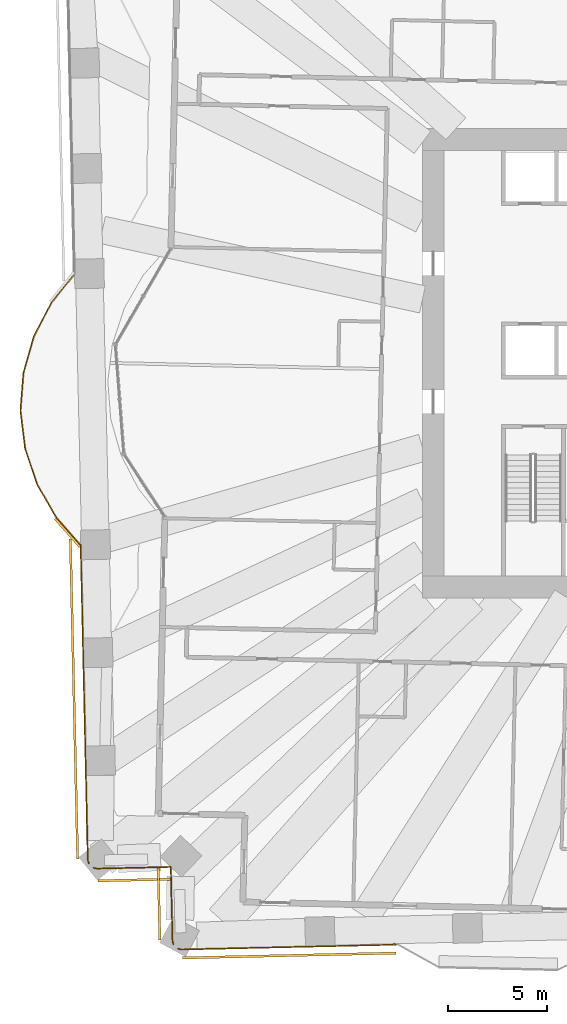
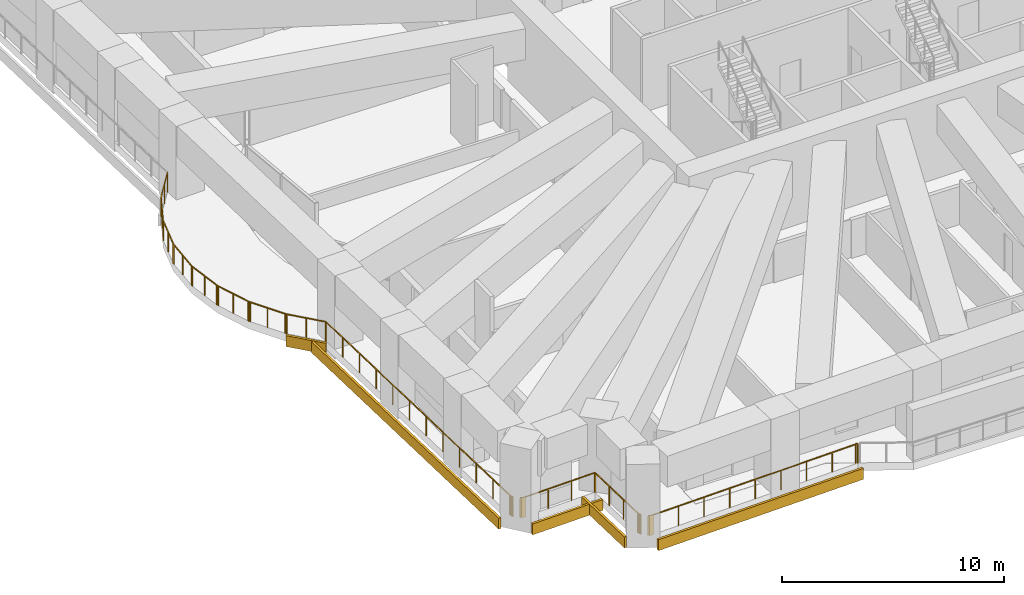
# One storey, part 15 of 20: 5 coverings, 3 railings.
"""IFC4 building model written with IfcOpenShell, lengths in metres."""

from ifc_helpers import new_model, si_unit, direction, frame, frame_2d, origin, origin_2d, place, context, subcontext, project, spatial, rectangle, extrude, material, layer, layer_set, type_object, element, save


model = new_model("IFC4")

# Units and contexts
model_context = context("Model", 3, precision=1e-05, world=origin(), true_north=direction((0.0, 1.0)))
body_context = subcontext(model_context, "Body", "Model", "MODEL_VIEW")
ifc_project = project(units=[si_unit("LENGTHUNIT", "METRE"), si_unit("AREAUNIT", "SQUARE_METRE"), si_unit("VOLUMEUNIT", "CUBIC_METRE"), si_unit("PLANEANGLEUNIT", "RADIAN"), si_unit("MASSUNIT", "GRAM", prefix="KILO")], contexts=[model_context])

# Site, building, storey
site_placement = place(None, origin())
site = spatial("IfcSite", under=ifc_project, at=site_placement, CompositionType="ELEMENT")
building_placement = place(site_placement, origin())
building = spatial("IfcBuilding", under=site, at=building_placement, Name="Mangrove Gate Tower", CompositionType="ELEMENT")
storey_placement = place(building_placement, frame((0.0, 0.0, 52.10009765625)))
storey = spatial("IfcBuildingStorey", under=building, at=storey_placement, Name="L12", CompositionType="ELEMENT", Elevation=52.10009765625)

# Railings
ifc_material_1 = material(Name="Stainless steel grade 316 with laminated glass infill", Category="steel")
railing_type = type_object("IfcRailingType", Name="Balcony guard 1100", PredefinedType="GUARDRAIL", material=ifc_material_1)
railing_1_placement = place(storey_placement, frame((-16.344970703125, -29.44189453125, 0.0)))
element("IfcRailing", 1, at=railing_1_placement, inside=storey, type_object=railing_type, Name="GUARD L12 T2.3", PredefinedType="GUARDRAIL", context=body_context, shape_type="SweptSolid", body=[
    extrude(rectangle(XDim=0.048095703125, YDim=0.048095703125, at=origin_2d()), frame((0.0, 0.0, 1.076171875), z_axis=(0.872632808678, -0.488376884402, 0.0), x_axis=(0.488376884402, 0.872632808678, 0.0)), (0.0, 0.0, 1.0), 0.098388671875),
    extrude(rectangle(XDim=0.048095703125, YDim=0.048095703125, at=origin_2d()), frame((0.0859375, -0.048095703125, 1.076171875), z_axis=(-0.999743023146, -0.022669090637, 0.0), x_axis=(0.022669090637, -0.999743023146, 0.0)), (0.0, 0.0, 1.0), 10.812744140625),
    extrude(rectangle(XDim=0.048095703125, YDim=0.048095703125, at=origin_2d()), frame((-10.72412109375, -0.293212890625, 1.076171875), z_axis=(-0.999687646408, 0.02499219116, 0.0), x_axis=(-0.02499219116, -0.999687646408, 0.0)), (0.0, 0.0, 1.0), 0.048828125),
    extrude(rectangle(XDim=0.048095703125, YDim=0.048095703125, at=origin_2d()), frame((-10.77294921875, -0.2919921875, 1.076171875), z_axis=(-0.992946793169, 0.118560811125, 0.0), x_axis=(-0.118560811125, -0.992946793169, 0.0)), (0.0, 0.0, 1.0), 0.04931640625),
    extrude(rectangle(XDim=0.048095703125, YDim=0.048095703125, at=origin_2d()), frame((-10.822021484375, -0.2861328125, 1.076171875), z_axis=(-0.974889210585, 0.222690428814, 0.0), x_axis=(-0.222690428814, -0.974889210585, 0.0)), (0.0, 0.0, 1.0), 0.04931640625),
    extrude(rectangle(XDim=0.048095703125, YDim=0.048095703125, at=origin_2d()), frame((-10.8701171875, -0.275146484375, 1.076171875), z_axis=(-0.945686599305, 0.325079768511, 0.0), x_axis=(-0.325079768511, -0.945686599305, 0.0)), (0.0, 0.0, 1.0), 0.049560546875),
    extrude(rectangle(XDim=0.048095703125, YDim=0.048095703125, at=origin_2d()), frame((-10.9169921875, -0.259033203125, 1.076171875), z_axis=(-0.916361402872, 0.400352069216, 0.0), x_axis=(-0.400352069216, -0.916361402872, 0.0)), (0.0, 0.0, 1.0), 0.02734375),
    extrude(rectangle(XDim=0.0419921875, YDim=0.0419921875, at=origin_2d()), origin(), (0.0, 0.0, 1.0), 1.052001953125),
    extrude(rectangle(XDim=0.0419921875, YDim=0.0419921875, at=origin_2d()), frame((0.0859375, -0.048095703125, 0.0)), (0.0, 0.0, 1.0), 1.052001953125),
    extrude(rectangle(XDim=0.0419921875, YDim=0.0419921875, at=origin_2d()), frame((-1.265380859375, -0.07861328125, 0.0)), (0.0, 0.0, 1.0), 1.052001953125),
    extrude(rectangle(XDim=0.0419921875, YDim=0.0419921875, at=origin_2d()), frame((-2.61669921875, -0.109375, 0.0)), (0.0, 0.0, 1.0), 1.052001953125),
    extrude(rectangle(XDim=0.0419921875, YDim=0.0419921875, at=origin_2d()), frame((-3.9677734375, -0.14013671875, 0.0)), (0.0, 0.0, 1.0), 1.052001953125),
    extrude(rectangle(XDim=0.0419921875, YDim=0.0419921875, at=origin_2d()), frame((-5.319091796875, -0.170654296875, 0.0)), (0.0, 0.0, 1.0), 1.052001953125),
    extrude(rectangle(XDim=0.0419921875, YDim=0.0419921875, at=origin_2d()), frame((-6.67041015625, -0.201171875, 0.0)), (0.0, 0.0, 1.0), 1.052001953125),
    extrude(rectangle(XDim=0.0419921875, YDim=0.0419921875, at=origin_2d()), frame((-8.021484375, -0.23193359375, 0.0)), (0.0, 0.0, 1.0), 1.052001953125),
    extrude(rectangle(XDim=0.0419921875, YDim=0.0419921875, at=origin_2d()), frame((-9.372802734375, -0.2626953125, 0.0)), (0.0, 0.0, 1.0), 1.052001953125),
    extrude(rectangle(XDim=0.0419921875, YDim=0.0419921875, at=origin_2d()), frame((-10.72412109375, -0.293212890625, 0.0)), (0.0, 0.0, 1.0), 1.052001953125),
    extrude(rectangle(XDim=0.0419921875, YDim=0.0419921875, at=origin_2d()), frame((-10.77294921875, -0.2919921875, 0.0)), (0.0, 0.0, 1.0), 1.052001953125),
    extrude(rectangle(XDim=0.0419921875, YDim=0.0419921875, at=origin_2d()), frame((-10.822021484375, -0.2861328125, 0.0)), (0.0, 0.0, 1.0), 1.052001953125),
    extrude(rectangle(XDim=0.0419921875, YDim=0.0419921875, at=origin_2d()), frame((-10.8701171875, -0.275146484375, 0.0)), (0.0, 0.0, 1.0), 1.052001953125),
    extrude(rectangle(XDim=0.0419921875, YDim=0.0419921875, at=origin_2d()), frame((-10.9169921875, -0.259033203125, 0.0)), (0.0, 0.0, 1.0), 1.052001953125),
    extrude(rectangle(XDim=0.0419921875, YDim=0.0419921875, at=origin_2d()), frame((-10.942138671875, -0.248046875, 0.0)), (0.0, 0.0, 1.0), 1.052001953125),
])
railing_2_placement = place(storey_placement, frame((-27.52587890625, -29.4619140625, 0.0)))
element("IfcRailing", 2, at=railing_2_placement, inside=storey, type_object=railing_type, Name="GUARD L12 T2.4", PredefinedType="GUARDRAIL", context=body_context, shape_type="SweptSolid", body=[
    extrude(rectangle(XDim=0.048095703125, YDim=0.048095703125, at=origin_2d()), frame((0.0, 0.0, 1.076171875), z_axis=(-0.440157217023, 0.897920722727, 0.0), x_axis=(-0.897920722727, -0.440157217023, 0.0)), (0.0, 0.0, 1.0), 0.02783203125),
    extrude(rectangle(XDim=0.048095703125, YDim=0.048095703125, at=origin_2d()), frame((-0.01220703125, 0.02490234375, 1.076171875), z_axis=(-0.361967648779, 0.932190657129, 0.0), x_axis=(-0.932190657129, -0.361967648779, 0.0)), (0.0, 0.0, 1.0), 0.04931640625),
    extrude(rectangle(XDim=0.048095703125, YDim=0.048095703125, at=origin_2d()), frame((-0.030029296875, 0.07080078125, 1.076171875), z_axis=(-0.269444841931, 0.963015823939, 0.0), x_axis=(-0.963015823939, -0.269444841931, 0.0)), (0.0, 0.0, 1.0), 0.048828125),
    extrude(rectangle(XDim=0.048095703125, YDim=0.048095703125, at=origin_2d()), frame((-0.043212890625, 0.117919921875, 1.076171875), z_axis=(-0.157223956062, 0.987562974012, 0.0), x_axis=(-0.987562974012, -0.157223956062, 0.0)), (0.0, 0.0, 1.0), 0.0498046875),
    extrude(rectangle(XDim=0.048095703125, YDim=0.048095703125, at=origin_2d()), frame((-0.051025390625, 0.1669921875, 1.076171875), z_axis=(-0.086410274643, 0.996259637061, 0.0), x_axis=(-0.996259637061, -0.086410274643, 0.0)), (0.0, 0.0, 1.0), 0.048095703125),
    extrude(rectangle(XDim=0.048095703125, YDim=0.048095703125, at=origin_2d()), frame((-0.05517578125, 0.21484375, 1.076171875), z_axis=(-0.022507870902, 0.999746665785, 0.0), x_axis=(-0.999746665785, -0.022507870902, 0.0)), (0.0, 0.0, 1.0), 3.68798828125),
    extrude(rectangle(XDim=0.048095703125, YDim=0.048095703125, at=origin_2d()), frame((-0.13818359375, 3.90185546875, 1.076171875), z_axis=(-0.081362009455, 0.996684615823, 0.0), x_axis=(-0.996684615823, -0.081362009455, 0.0)), (0.0, 0.0, 1.0), 0.011962890625),
    extrude(rectangle(XDim=0.048095703125, YDim=0.048095703125, at=origin_2d()), frame((-0.13916015625, 3.913818359375, 1.076171875), z_axis=(-1.0, 0.0, 0.0), x_axis=(0.0, -1.0, 0.0)), (0.0, 0.0, 1.0), 0.011962890625),
    extrude(rectangle(XDim=0.048095703125, YDim=0.048095703125, at=origin_2d()), frame((-0.151123046875, 3.913818359375, 1.076171875), z_axis=(-0.999746665785, -0.022507870902, 0.0), x_axis=(0.022507870902, -0.999746665785, 0.0)), (0.0, 0.0, 1.0), 3.68798828125),
    extrude(rectangle(XDim=0.048095703125, YDim=0.048095703125, at=origin_2d()), frame((-3.838134765625, 3.830810546875, 1.076171875), z_axis=(-0.999690745235, 0.024867928986, 0.0), x_axis=(-0.024867928986, -0.999690745235, 0.0)), (0.0, 0.0, 1.0), 0.049072265625),
    extrude(rectangle(XDim=0.048095703125, YDim=0.048095703125, at=origin_2d()), frame((-3.88720703125, 3.83203125, 1.076171875), z_axis=(-0.992586388695, 0.121541190452, 0.0), x_axis=(-0.121541190452, -0.992586388695, 0.0)), (0.0, 0.0, 1.0), 0.048095703125),
    extrude(rectangle(XDim=0.048095703125, YDim=0.048095703125, at=origin_2d()), frame((-3.93505859375, 3.837890625, 1.076171875), z_axis=(-0.974889210585, 0.222690428814, 0.0), x_axis=(-0.222690428814, -0.974889210585, 0.0)), (0.0, 0.0, 1.0), 0.04931640625),
    extrude(rectangle(XDim=0.048095703125, YDim=0.048095703125, at=origin_2d()), frame((-3.983154296875, 3.848876953125, 1.076171875), z_axis=(-0.951615146191, 0.307292390957, 0.0), x_axis=(-0.307292390957, -0.951615146191, 0.0)), (0.0, 0.0, 1.0), 0.04931640625),
    extrude(rectangle(XDim=0.048095703125, YDim=0.048095703125, at=origin_2d()), frame((-4.030029296875, 3.864013671875, 1.076171875), z_axis=(-0.903022510302, 0.429593233056, 0.0), x_axis=(-0.429593233056, -0.903022510302, 0.0)), (0.0, 0.0, 1.0), 0.02783203125),
    extrude(rectangle(XDim=0.0419921875, YDim=0.0419921875, at=origin_2d()), origin(), (0.0, 0.0, 1.0), 1.052001953125),
    extrude(rectangle(XDim=0.0419921875, YDim=0.0419921875, at=origin_2d()), frame((-0.01220703125, 0.02490234375, 0.0)), (0.0, 0.0, 1.0), 1.052001953125),
    extrude(rectangle(XDim=0.0419921875, YDim=0.0419921875, at=origin_2d()), frame((-0.030029296875, 0.07080078125, 0.0)), (0.0, 0.0, 1.0), 1.052001953125),
    extrude(rectangle(XDim=0.0419921875, YDim=0.0419921875, at=origin_2d()), frame((-0.043212890625, 0.117919921875, 0.0)), (0.0, 0.0, 1.0), 1.052001953125),
    extrude(rectangle(XDim=0.0419921875, YDim=0.0419921875, at=origin_2d()), frame((-0.051025390625, 0.1669921875, 0.0)), (0.0, 0.0, 1.0), 1.052001953125),
    extrude(rectangle(XDim=0.0419921875, YDim=0.0419921875, at=origin_2d()), frame((-0.05517578125, 0.21484375, 0.0)), (0.0, 0.0, 1.0), 1.052001953125),
    extrude(rectangle(XDim=0.0419921875, YDim=0.0419921875, at=origin_2d()), frame((-0.082763671875, 1.44384765625, 0.0)), (0.0, 0.0, 1.0), 1.052001953125),
    extrude(rectangle(XDim=0.0419921875, YDim=0.0419921875, at=origin_2d()), frame((-0.110595703125, 2.6728515625, 0.0)), (0.0, 0.0, 1.0), 1.052001953125),
    extrude(rectangle(XDim=0.0419921875, YDim=0.0419921875, at=origin_2d()), frame((-0.13818359375, 3.90185546875, 0.0)), (0.0, 0.0, 1.0), 1.052001953125),
    extrude(rectangle(XDim=0.0419921875, YDim=0.0419921875, at=origin_2d()), frame((-0.13916015625, 3.913818359375, 0.0)), (0.0, 0.0, 1.0), 1.052001953125),
    extrude(rectangle(XDim=0.0419921875, YDim=0.0419921875, at=origin_2d()), frame((-0.151123046875, 3.913818359375, 0.0)), (0.0, 0.0, 1.0), 1.052001953125),
    extrude(rectangle(XDim=0.0419921875, YDim=0.0419921875, at=origin_2d()), frame((-1.380126953125, 3.88623046875, 0.0)), (0.0, 0.0, 1.0), 1.052001953125),
    extrude(rectangle(XDim=0.0419921875, YDim=0.0419921875, at=origin_2d()), frame((-2.609130859375, 3.8583984375, 0.0)), (0.0, 0.0, 1.0), 1.052001953125),
    extrude(rectangle(XDim=0.0419921875, YDim=0.0419921875, at=origin_2d()), frame((-3.838134765625, 3.830810546875, 0.0)), (0.0, 0.0, 1.0), 1.052001953125),
    extrude(rectangle(XDim=0.0419921875, YDim=0.0419921875, at=origin_2d()), frame((-3.88720703125, 3.83203125, 0.0)), (0.0, 0.0, 1.0), 1.052001953125),
    extrude(rectangle(XDim=0.0419921875, YDim=0.0419921875, at=origin_2d()), frame((-3.93505859375, 3.837890625, 0.0)), (0.0, 0.0, 1.0), 1.052001953125),
    extrude(rectangle(XDim=0.0419921875, YDim=0.0419921875, at=origin_2d()), frame((-3.983154296875, 3.848876953125, 0.0)), (0.0, 0.0, 1.0), 1.052001953125),
    extrude(rectangle(XDim=0.0419921875, YDim=0.0419921875, at=origin_2d()), frame((-4.030029296875, 3.864013671875, 0.0)), (0.0, 0.0, 1.0), 1.052001953125),
    extrude(rectangle(XDim=0.0419921875, YDim=0.0419921875, at=origin_2d()), frame((-4.05517578125, 3.8759765625, 0.0)), (0.0, 0.0, 1.0), 1.052001953125),
])
railing_3_placement = place(storey_placement, frame((-31.820068359375, -25.35791015625, 0.0)))
element("IfcRailing", 3, at=railing_3_placement, inside=storey, type_object=railing_type, Name="GUARD L12 T2.5", PredefinedType="GUARDRAIL", context=body_context, shape_type="SweptSolid", body=[
    extrude(rectangle(XDim=0.048095703125, YDim=0.048095703125, at=origin_2d()), frame((0.0, 0.0, 1.076171875), z_axis=(-0.43301833784, 0.901385111422, 0.0), x_axis=(-0.901385111422, -0.43301833784, 0.0)), (0.0, 0.0, 1.0), 0.027587890625),
    extrude(rectangle(XDim=0.048095703125, YDim=0.048095703125, at=origin_2d()), frame((-0.011962890625, 0.02490234375, 1.076171875), z_axis=(-0.373128742496, 0.927779575936, 0.0), x_axis=(-0.927779575936, -0.373128742496, 0.0)), (0.0, 0.0, 1.0), 0.04833984375),
    extrude(rectangle(XDim=0.048095703125, YDim=0.048095703125, at=origin_2d()), frame((-0.030029296875, 0.06982421875, 1.076171875), z_axis=(-0.259797678908, 0.965663070659, 0.0), x_axis=(-0.965663070659, -0.259797678908, 0.0)), (0.0, 0.0, 1.0), 0.0498046875),
    extrude(rectangle(XDim=0.048095703125, YDim=0.048095703125, at=origin_2d()), frame((-0.04296875, 0.117919921875, 1.076171875), z_axis=(-0.165210778199, 0.986258281976, 0.0), x_axis=(-0.986258281976, -0.165210778199, 0.0)), (0.0, 0.0, 1.0), 0.048828125),
    extrude(rectangle(XDim=0.048095703125, YDim=0.048095703125, at=origin_2d()), frame((-0.051025390625, 0.166015625, 1.076171875), z_axis=(-0.079745222283, 0.996815278536, 0.0), x_axis=(-0.996815278536, -0.079745222283, 0.0)), (0.0, 0.0, 1.0), 0.049072265625),
    extrude(rectangle(XDim=0.048095703125, YDim=0.048095703125, at=origin_2d()), frame((-0.054931640625, 0.21484375, 1.076171875), z_axis=(-0.022692477578, 0.999742492576, 0.0), x_axis=(-0.999742492576, -0.022692477578, 0.0)), (0.0, 0.0, 1.0), 15.912109375),
    extrude(rectangle(XDim=0.048095703125, YDim=0.048095703125, at=origin_2d()), frame((-0.416015625, 16.122802734375, 1.076171875), z_axis=(-0.079745222283, 0.996815278536, 0.0), x_axis=(-0.996815278536, -0.079745222283, 0.0)), (0.0, 0.0, 1.0), 0.01220703125),
    extrude(rectangle(XDim=0.048095703125, YDim=0.048095703125, at=origin_2d()), frame((-0.4169921875, 16.135009765625, 1.076171875), z_axis=(-0.563961646158, 0.825800981874, 0.0), x_axis=(-0.825800981874, -0.563961646158, 0.0)), (0.0, 0.0, 1.0), 0.01220703125),
    extrude(rectangle(XDim=0.048095703125, YDim=0.048095703125, at=origin_2d()), frame((-0.423828125, 16.14501953125, 1.076171875), z_axis=(-0.660342378742, 0.750964674826, 0.0), x_axis=(-0.750964674826, -0.660342378742, 0.0)), (0.0, 0.0, 1.0), 1.850830078125),
    extrude(rectangle(XDim=0.048095703125, YDim=0.048095703125, at=origin_2d()), frame((-1.64599609375, 17.534912109375, 1.076171875), z_axis=(-0.621705532722, 0.783251064846, 0.0), x_axis=(-0.783251064846, -0.621705532722, 0.0)), (0.0, 0.0, 1.0), 0.0498046875),
    extrude(rectangle(XDim=0.048095703125, YDim=0.048095703125, at=origin_2d()), frame((-1.677001953125, 17.573974609375, 1.076171875), z_axis=(-0.538775689721, 0.842449260291, 0.0), x_axis=(-0.842449260291, -0.538775689721, 0.0)), (0.0, 0.0, 1.0), 0.0498046875),
    extrude(rectangle(XDim=0.048095703125, YDim=0.048095703125, at=origin_2d()), frame((-1.703857421875, 17.615966796875, 1.076171875), z_axis=(-0.498357212209, 0.866971792528, 0.0), x_axis=(-0.866971792528, -0.498357212209, 0.0)), (0.0, 0.0, 1.0), 1.81201171875),
    extrude(rectangle(XDim=0.048095703125, YDim=0.048095703125, at=origin_2d()), frame((-2.60693359375, 19.18701171875, 1.076171875), z_axis=(-0.45494050276, 0.890521835189, 0.0), x_axis=(-0.890521835189, -0.45494050276, 0.0)), (0.0, 0.0, 1.0), 0.050537109375),
    extrude(rectangle(XDim=0.048095703125, YDim=0.048095703125, at=origin_2d()), frame((-2.6298828125, 19.23193359375, 1.076171875), z_axis=(-0.366264831108, 0.930510652004, 0.0), x_axis=(-0.930510652004, -0.366264831108, 0.0)), (0.0, 0.0, 1.0), 0.04931640625),
    extrude(rectangle(XDim=0.048095703125, YDim=0.048095703125, at=origin_2d()), frame((-2.64794921875, 19.27783203125, 1.076171875), z_axis=(-0.316550896183, 0.948575526843, 0.0), x_axis=(-0.948575526843, -0.316550896183, 0.0)), (0.0, 0.0, 1.0), 1.813232421875),
    extrude(rectangle(XDim=0.048095703125, YDim=0.048095703125, at=origin_2d()), frame((-3.221923828125, 20.997802734375, 1.076171875), z_axis=(-0.259797678908, 0.965663070659, 0.0), x_axis=(-0.965663070659, -0.259797678908, 0.0)), (0.0, 0.0, 1.0), 0.0498046875),
    extrude(rectangle(XDim=0.048095703125, YDim=0.048095703125, at=origin_2d()), frame((-3.23486328125, 21.0458984375, 1.076171875), z_axis=(-0.181037892988, 0.983476121369, 0.0), x_axis=(-0.983476121369, -0.181037892988, 0.0)), (0.0, 0.0, 1.0), 0.0498046875),
    extrude(rectangle(XDim=0.048095703125, YDim=0.048095703125, at=origin_2d()), frame((-3.243896484375, 21.094970703125, 1.076171875), z_axis=(-0.121912255429, 0.992540881766, 0.0), x_axis=(-0.992540881766, -0.121912255429, 0.0)), (0.0, 0.0, 1.0), 1.812255859375),
    extrude(rectangle(XDim=0.048095703125, YDim=0.048095703125, at=origin_2d()), frame((-3.46484375, 22.893798828125, 1.076171875), z_axis=(-0.084276225487, 0.996442430759, 0.0), x_axis=(-0.996442430759, -0.084276225487, 0.0)), (0.0, 0.0, 1.0), 0.04931640625),
    extrude(rectangle(XDim=0.048095703125, YDim=0.048095703125, at=origin_2d()), frame((-3.468994140625, 22.94287109375, 1.076171875), z_axis=(0.03899470896, 0.999239417093, 0.0), x_axis=(-0.999239417093, 0.03899470896, 0.0)), (0.0, 0.0, 1.0), 0.050048828125),
    extrude(rectangle(XDim=0.048095703125, YDim=0.048095703125, at=origin_2d()), frame((-3.467041015625, 22.992919921875, 1.076171875), z_axis=(0.076737678998, 0.997051316945, 0.0), x_axis=(-0.997051316945, 0.076737678998, 0.0)), (0.0, 0.0, 1.0), 1.8134765625),
    extrude(rectangle(XDim=0.048095703125, YDim=0.048095703125, at=origin_2d()), frame((-3.327880859375, 24.801025390625, 1.076171875), z_axis=(0.119145220618, 0.992876838487, 0.0), x_axis=(-0.992876838487, 0.119145220618, 0.0)), (0.0, 0.0, 1.0), 0.049072265625),
    extrude(rectangle(XDim=0.048095703125, YDim=0.048095703125, at=origin_2d()), frame((-3.322021484375, 24.849853515625, 1.076171875), z_axis=(0.241399461295, 0.970425834408, 0.0), x_axis=(-0.970425834408, 0.241399461295, 0.0)), (0.0, 0.0, 1.0), 0.050537109375),
    extrude(rectangle(XDim=0.048095703125, YDim=0.048095703125, at=origin_2d()), frame((-3.309814453125, 24.89892578125, 1.076171875), z_axis=(0.273136815352, 0.961975197237, 0.0), x_axis=(-0.961975197237, 0.273136815352, 0.0)), (0.0, 0.0, 1.0), 1.811767578125),
    extrude(rectangle(XDim=0.048095703125, YDim=0.048095703125, at=origin_2d()), frame((-2.81494140625, 26.641845703125, 1.076171875), z_axis=(0.317671360445, 0.948200878903, 0.0), x_axis=(-0.948200878903, 0.317671360445, 0.0)), (0.0, 0.0, 1.0), 0.05078125),
    extrude(rectangle(XDim=0.048095703125, YDim=0.048095703125, at=origin_2d()), frame((-2.798828125, 26.68994140625, 1.076171875), z_axis=(0.402905301271, 0.915241672023, 0.0), x_axis=(-0.915241672023, 0.402905301271, 0.0)), (0.0, 0.0, 1.0), 0.049072265625),
    extrude(rectangle(XDim=0.048095703125, YDim=0.048095703125, at=origin_2d()), frame((-2.779052734375, 26.73486328125, 1.076171875), z_axis=(0.45843707563, 0.888726869003, 0.0), x_axis=(-0.888726869003, 0.45843707563, 0.0)), (0.0, 0.0, 1.0), 1.812744140625),
    extrude(rectangle(XDim=0.048095703125, YDim=0.048095703125, at=origin_2d()), frame((-1.947998046875, 28.345947265625, 1.076171875), z_axis=(0.519484808927, 0.854479685712, 0.0), x_axis=(-0.854479685712, 0.519484808927, 0.0)), (0.0, 0.0, 1.0), 0.05029296875),
    extrude(rectangle(XDim=0.048095703125, YDim=0.048095703125, at=origin_2d()), frame((-1.921875, 28.388916015625, 1.076171875), z_axis=(0.57801734078, 0.816024481102, 0.0), x_axis=(-0.816024481102, 0.57801734078, 0.0)), (0.0, 0.0, 1.0), 0.05029296875),
    extrude(rectangle(XDim=0.048095703125, YDim=0.048095703125, at=origin_2d()), frame((-1.892822265625, 28.429931640625, 1.076171875), z_axis=(0.6255800572, 0.780159978487, 0.0), x_axis=(-0.780159978487, 0.6255800572, 0.0)), (0.0, 0.0, 1.0), 1.849365234375),
    extrude(rectangle(XDim=0.048095703125, YDim=0.048095703125, at=origin_2d()), frame((-0.73583984375, 29.872802734375, 1.076171875), z_axis=(0.563961646158, 0.825800981874, 0.0), x_axis=(-0.825800981874, 0.563961646158, 0.0)), (0.0, 0.0, 1.0), 0.01220703125),
    extrude(rectangle(XDim=0.048095703125, YDim=0.048095703125, at=origin_2d()), frame((-0.72900390625, 29.8828125, 1.076171875), z_axis=(0.079745222283, 0.996815278536, 0.0), x_axis=(-0.996815278536, 0.079745222283, 0.0)), (0.0, 0.0, 1.0), 0.01220703125),
    extrude(rectangle(XDim=0.0419921875, YDim=0.0419921875, at=origin_2d()), origin(), (0.0, 0.0, 1.0), 1.052001953125),
    extrude(rectangle(XDim=0.0419921875, YDim=0.0419921875, at=origin_2d()), frame((-0.011962890625, 0.02490234375, 0.0)), (0.0, 0.0, 1.0), 1.052001953125),
    extrude(rectangle(XDim=0.0419921875, YDim=0.0419921875, at=origin_2d()), frame((-0.030029296875, 0.06982421875, 0.0)), (0.0, 0.0, 1.0), 1.052001953125),
    extrude(rectangle(XDim=0.0419921875, YDim=0.0419921875, at=origin_2d()), frame((-0.04296875, 0.117919921875, 0.0)), (0.0, 0.0, 1.0), 1.052001953125),
    extrude(rectangle(XDim=0.0419921875, YDim=0.0419921875, at=origin_2d()), frame((-0.051025390625, 0.166015625, 0.0)), (0.0, 0.0, 1.0), 1.052001953125),
    extrude(rectangle(XDim=0.0419921875, YDim=0.0419921875, at=origin_2d()), frame((-0.054931640625, 0.21484375, 0.0)), (0.0, 0.0, 1.0), 1.052001953125),
    extrude(rectangle(XDim=0.0419921875, YDim=0.0419921875, at=origin_2d()), frame((-0.087646484375, 1.6611328125, 0.0)), (0.0, 0.0, 1.0), 1.052001953125),
    extrude(rectangle(XDim=0.0419921875, YDim=0.0419921875, at=origin_2d()), frame((-0.12060546875, 3.107177734375, 0.0)), (0.0, 0.0, 1.0), 1.052001953125),
    extrude(rectangle(XDim=0.0419921875, YDim=0.0419921875, at=origin_2d()), frame((-0.1533203125, 4.553466796875, 0.0)), (0.0, 0.0, 1.0), 1.052001953125),
    extrude(rectangle(XDim=0.0419921875, YDim=0.0419921875, at=origin_2d()), frame((-0.186279296875, 5.99951171875, 0.0)), (0.0, 0.0, 1.0), 1.052001953125),
    extrude(rectangle(XDim=0.0419921875, YDim=0.0419921875, at=origin_2d()), frame((-0.218994140625, 7.44580078125, 0.0)), (0.0, 0.0, 1.0), 1.052001953125),
    extrude(rectangle(XDim=0.0419921875, YDim=0.0419921875, at=origin_2d()), frame((-0.251953125, 8.891845703125, 0.0)), (0.0, 0.0, 1.0), 1.052001953125),
    extrude(rectangle(XDim=0.0419921875, YDim=0.0419921875, at=origin_2d()), frame((-0.28466796875, 10.338134765625, 0.0)), (0.0, 0.0, 1.0), 1.052001953125),
    extrude(rectangle(XDim=0.0419921875, YDim=0.0419921875, at=origin_2d()), frame((-0.317626953125, 11.7841796875, 0.0)), (0.0, 0.0, 1.0), 1.052001953125),
    extrude(rectangle(XDim=0.0419921875, YDim=0.0419921875, at=origin_2d()), frame((-0.350341796875, 13.23046875, 0.0)), (0.0, 0.0, 1.0), 1.052001953125),
    extrude(rectangle(XDim=0.0419921875, YDim=0.0419921875, at=origin_2d()), frame((-0.38330078125, 14.676513671875, 0.0)), (0.0, 0.0, 1.0), 1.052001953125),
    extrude(rectangle(XDim=0.0419921875, YDim=0.0419921875, at=origin_2d()), frame((-0.416015625, 16.122802734375, 0.0)), (0.0, 0.0, 1.0), 1.052001953125),
    extrude(rectangle(XDim=0.0419921875, YDim=0.0419921875, at=origin_2d()), frame((-0.4169921875, 16.135009765625, 0.0)), (0.0, 0.0, 1.0), 1.052001953125),
    extrude(rectangle(XDim=0.0419921875, YDim=0.0419921875, at=origin_2d()), frame((-0.423828125, 16.14501953125, 0.0)), (0.0, 0.0, 1.0), 1.052001953125),
    extrude(rectangle(XDim=0.0419921875, YDim=0.0419921875, at=origin_2d()), frame((-1.034912109375, 16.83984375, 0.0)), (0.0, 0.0, 1.0), 1.052001953125),
    extrude(rectangle(XDim=0.0419921875, YDim=0.0419921875, at=origin_2d()), frame((-1.64599609375, 17.534912109375, 0.0)), (0.0, 0.0, 1.0), 1.052001953125),
    extrude(rectangle(XDim=0.0419921875, YDim=0.0419921875, at=origin_2d()), frame((-1.677001953125, 17.573974609375, 0.0)), (0.0, 0.0, 1.0), 1.052001953125),
    extrude(rectangle(XDim=0.0419921875, YDim=0.0419921875, at=origin_2d()), frame((-1.703857421875, 17.615966796875, 0.0)), (0.0, 0.0, 1.0), 1.052001953125),
    extrude(rectangle(XDim=0.0419921875, YDim=0.0419921875, at=origin_2d()), frame((-2.1552734375, 18.4013671875, 0.0)), (0.0, 0.0, 1.0), 1.052001953125),
    extrude(rectangle(XDim=0.0419921875, YDim=0.0419921875, at=origin_2d()), frame((-2.60693359375, 19.18701171875, 0.0)), (0.0, 0.0, 1.0), 1.052001953125),
    extrude(rectangle(XDim=0.0419921875, YDim=0.0419921875, at=origin_2d()), frame((-2.6298828125, 19.23193359375, 0.0)), (0.0, 0.0, 1.0), 1.052001953125),
    extrude(rectangle(XDim=0.0419921875, YDim=0.0419921875, at=origin_2d()), frame((-2.64794921875, 19.27783203125, 0.0)), (0.0, 0.0, 1.0), 1.052001953125),
    extrude(rectangle(XDim=0.0419921875, YDim=0.0419921875, at=origin_2d()), frame((-2.93505859375, 20.1376953125, 0.0)), (0.0, 0.0, 1.0), 1.052001953125),
    extrude(rectangle(XDim=0.0419921875, YDim=0.0419921875, at=origin_2d()), frame((-3.221923828125, 20.997802734375, 0.0)), (0.0, 0.0, 1.0), 1.052001953125),
    extrude(rectangle(XDim=0.0419921875, YDim=0.0419921875, at=origin_2d()), frame((-3.23486328125, 21.0458984375, 0.0)), (0.0, 0.0, 1.0), 1.052001953125),
    extrude(rectangle(XDim=0.0419921875, YDim=0.0419921875, at=origin_2d()), frame((-3.243896484375, 21.094970703125, 0.0)), (0.0, 0.0, 1.0), 1.052001953125),
    extrude(rectangle(XDim=0.0419921875, YDim=0.0419921875, at=origin_2d()), frame((-3.3544921875, 21.994384765625, 0.0)), (0.0, 0.0, 1.0), 1.052001953125),
    extrude(rectangle(XDim=0.0419921875, YDim=0.0419921875, at=origin_2d()), frame((-3.46484375, 22.893798828125, 0.0)), (0.0, 0.0, 1.0), 1.052001953125),
    extrude(rectangle(XDim=0.0419921875, YDim=0.0419921875, at=origin_2d()), frame((-3.468994140625, 22.94287109375, 0.0)), (0.0, 0.0, 1.0), 1.052001953125),
    extrude(rectangle(XDim=0.0419921875, YDim=0.0419921875, at=origin_2d()), frame((-3.467041015625, 22.992919921875, 0.0)), (0.0, 0.0, 1.0), 1.052001953125),
    extrude(rectangle(XDim=0.0419921875, YDim=0.0419921875, at=origin_2d()), frame((-3.3974609375, 23.89697265625, 0.0)), (0.0, 0.0, 1.0), 1.052001953125),
    extrude(rectangle(XDim=0.0419921875, YDim=0.0419921875, at=origin_2d()), frame((-3.327880859375, 24.801025390625, 0.0)), (0.0, 0.0, 1.0), 1.052001953125),
    extrude(rectangle(XDim=0.0419921875, YDim=0.0419921875, at=origin_2d()), frame((-3.322021484375, 24.849853515625, 0.0)), (0.0, 0.0, 1.0), 1.052001953125),
    extrude(rectangle(XDim=0.0419921875, YDim=0.0419921875, at=origin_2d()), frame((-3.309814453125, 24.89892578125, 0.0)), (0.0, 0.0, 1.0), 1.052001953125),
    extrude(rectangle(XDim=0.0419921875, YDim=0.0419921875, at=origin_2d()), frame((-3.0625, 25.7705078125, 0.0)), (0.0, 0.0, 1.0), 1.052001953125),
    extrude(rectangle(XDim=0.0419921875, YDim=0.0419921875, at=origin_2d()), frame((-2.81494140625, 26.641845703125, 0.0)), (0.0, 0.0, 1.0), 1.052001953125),
    extrude(rectangle(XDim=0.0419921875, YDim=0.0419921875, at=origin_2d()), frame((-2.798828125, 26.68994140625, 0.0)), (0.0, 0.0, 1.0), 1.052001953125),
    extrude(rectangle(XDim=0.0419921875, YDim=0.0419921875, at=origin_2d()), frame((-2.779052734375, 26.73486328125, 0.0)), (0.0, 0.0, 1.0), 1.052001953125),
    extrude(rectangle(XDim=0.0419921875, YDim=0.0419921875, at=origin_2d()), frame((-2.363525390625, 27.54052734375, 0.0)), (0.0, 0.0, 1.0), 1.052001953125),
    extrude(rectangle(XDim=0.0419921875, YDim=0.0419921875, at=origin_2d()), frame((-1.947998046875, 28.345947265625, 0.0)), (0.0, 0.0, 1.0), 1.052001953125),
    extrude(rectangle(XDim=0.0419921875, YDim=0.0419921875, at=origin_2d()), frame((-1.921875, 28.388916015625, 0.0)), (0.0, 0.0, 1.0), 1.052001953125),
    extrude(rectangle(XDim=0.0419921875, YDim=0.0419921875, at=origin_2d()), frame((-1.892822265625, 28.429931640625, 0.0)), (0.0, 0.0, 1.0), 1.052001953125),
    extrude(rectangle(XDim=0.0419921875, YDim=0.0419921875, at=origin_2d()), frame((-1.314453125, 29.1513671875, 0.0)), (0.0, 0.0, 1.0), 1.052001953125),
    extrude(rectangle(XDim=0.0419921875, YDim=0.0419921875, at=origin_2d()), frame((-0.73583984375, 29.872802734375, 0.0)), (0.0, 0.0, 1.0), 1.052001953125),
    extrude(rectangle(XDim=0.0419921875, YDim=0.0419921875, at=origin_2d()), frame((-0.72900390625, 29.8828125, 0.0)), (0.0, 0.0, 1.0), 1.052001953125),
    extrude(rectangle(XDim=0.0419921875, YDim=0.0419921875, at=origin_2d()), frame((-0.72802734375, 29.89501953125, 0.0)), (0.0, 0.0, 1.0), 1.052001953125),
])

# Coverings
ifc_material_2 = material(Name="Limestone", Category="masonry")
ifc_layer_1 = layer(ifc_material_2, 0.0400390625, Name="Limestone cladding")
ifc_material_3 = material(Name="Stainless steel anchors and cavity", Category="steel")
ifc_layer_2 = layer(ifc_material_3, 0.080078125, Name="Fixing cavity")
ifc_layer_set = layer_set([ifc_layer_1, ifc_layer_2], Name="Joint fascia cladding 120")
covering_type = type_object("IfcCoveringType", Name="Joint fascia cladding 120", PredefinedType="CLADDING", material=ifc_layer_set)
covering_1_placement = place(storey_placement, frame((-16.2490234375, -29.916015625, -0.60009765625), z_axis=(0.0, 0.0, 1.0), x_axis=(-0.999743580914, -0.022644478832, 0.0)))
element("IfcCovering", 4, at=covering_1_placement, inside=storey, type_object=covering_type, Name="STONE FASCIA L12 TB02-3.1", PredefinedType="CLADDING", context=body_context, shape_type="SweptSolid", body=[
    extrude(rectangle(XDim=10.813720703125, YDim=0.1201171875, at=frame_2d((5.40673828125, 0.0))), origin(), (0.0, 0.0, 1.0), 0.60009765625),
])
covering_2_placement = place(storey_placement, frame((-28.219970703125, -29.260986328125, -0.60009765625), z_axis=(0.0, 0.0, 1.0), x_axis=(-0.022766374938, 0.999740812497, 0.0)))
element("IfcCovering", 5, at=covering_2_placement, inside=storey, type_object=covering_type, Name="STONE FASCIA L12 TB02-4.1", PredefinedType="CLADDING", context=body_context, shape_type="SweptSolid", body=[
    extrude(rectangle(XDim=3.69970703125, YDim=0.1201171875, at=frame_2d((1.849853515625, 0.0))), origin(), (0.0, 0.0, 1.0), 0.60009765625),
])
covering_3_placement = place(storey_placement, frame((-27.650390625, -26.167724609375, -0.60009765625), z_axis=(0.0, 0.0, 1.0), x_axis=(-0.999746919138, -0.022496614717, 0.0)))
element("IfcCovering", 6, at=covering_3_placement, inside=storey, type_object=covering_type, Name="STONE FASCIA L12 TB02-4.2", PredefinedType="CLADDING", context=body_context, shape_type="SweptSolid", body=[
    extrude(rectangle(XDim=3.70068359375, YDim=0.1201171875, at=frame_2d((1.850341796875, 0.0))), origin(), (0.0, 0.0, 1.0), 0.60009765625),
])
covering_4_placement = place(storey_placement, frame((-32.389892578125, -25.155029296875, -0.60009765625), z_axis=(0.0, 0.0, 1.0), x_axis=(-0.022688958533, 0.999742572446, 0.0)))
element("IfcCovering", 7, at=covering_4_placement, inside=storey, type_object=covering_type, Name="STONE FASCIA L12 TB02-5.1", PredefinedType="CLADDING", context=body_context, shape_type="SweptSolid", body=[
    extrude(rectangle(XDim=16.2373046875, YDim=0.1201171875, at=frame_2d((8.11865234375, 0.0))), origin(), (0.0, 0.0, 1.0), 0.60009765625),
])
covering_5_placement = place(storey_placement, frame((-32.279052734375, -9.31005859375, -0.60009765625), z_axis=(0.0, 0.0, 1.0), x_axis=(-0.660367195698, 0.750942851917, 0.0)))
element("IfcCovering", 8, at=covering_5_placement, inside=storey, type_object=covering_type, Name="STONE FASCIA L12 TB02-5.2", PredefinedType="CLADDING", context=body_context, shape_type="SweptSolid", body=[
    extrude(rectangle(XDim=1.900390625, YDim=0.1201171875, at=frame_2d((0.9501953125, 0.0))), origin(), (0.0, 0.0, 1.0), 0.60009765625),
])

save(model, "model.ifc")
